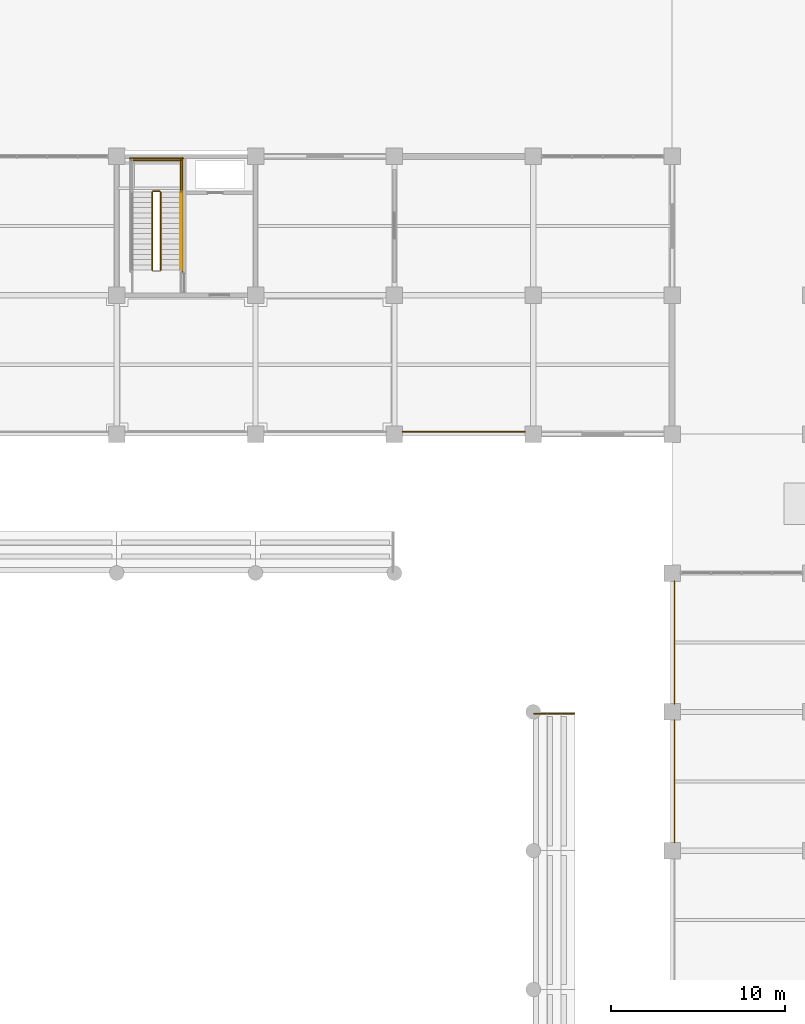
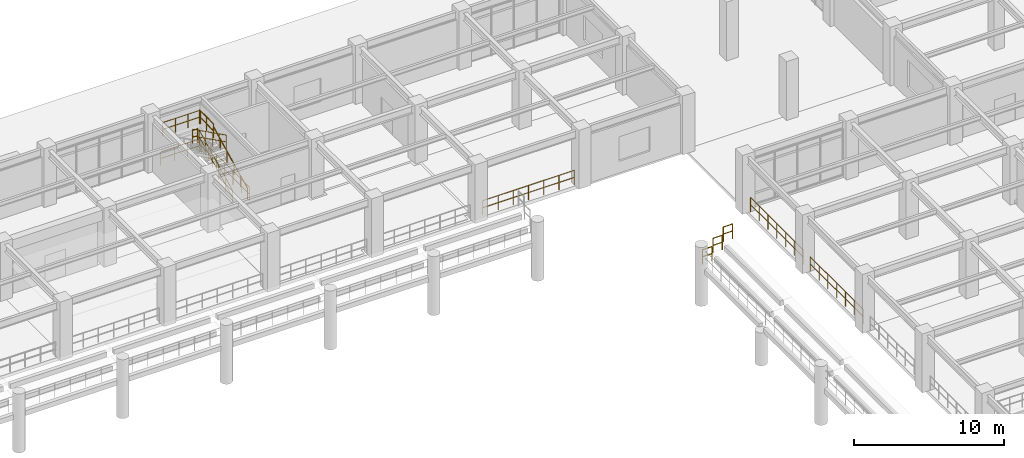
# One storey, part 108 of 109: 14 railings.
"""IFC4 building model written with IfcOpenShell, lengths in metres."""

from ifc_helpers import new_model, si_unit, direction, frame, origin, origin_2d, place, context, subcontext, project, spatial, circle, extrude, material, type_object, element, save


model = new_model("IFC4")

# Units and contexts
model_context = context("Model", 3, precision=1e-05, world=origin(), true_north=direction((0.0, 1.0)))
body_context = subcontext(model_context, "Body", "Model", "MODEL_VIEW")
ifc_project = project(units=[si_unit("LENGTHUNIT", "METRE"), si_unit("AREAUNIT", "SQUARE_METRE"), si_unit("VOLUMEUNIT", "CUBIC_METRE"), si_unit("PLANEANGLEUNIT", "RADIAN"), si_unit("MASSUNIT", "GRAM", prefix="KILO")], contexts=[model_context])

# Site, building, storey
site_placement = place(None, origin())
site = spatial("IfcSite", under=ifc_project, at=site_placement, CompositionType="ELEMENT")
building_placement = place(site_placement, origin())
building = spatial("IfcBuilding", under=site, at=building_placement, Name="Haebicheon Civic Stadium", CompositionType="ELEMENT")
storey_placement = place(building_placement, frame((0.0, 0.0, 9.60009765625)))
storey = spatial("IfcBuildingStorey", under=building, at=storey_placement, Name="L03", CompositionType="ELEMENT", Elevation=9.60009765625)

# Railings
ifc_material_1 = material(Name="Stainless steel 316 and laminated glass", Category="steel")
railing_type_1 = type_object("IfcRailingType", Name="RL-BAL-1200", PredefinedType="BALUSTRADE", material=ifc_material_1)
railing_1_placement = place(storey_placement, frame((128.47509765625, 152.139892578125, 0.0)))
element("IfcRailing", 1, at=railing_1_placement, inside=storey, type_object=railing_type_1, material=ifc_material_1, Name="L03 concourse bowl-edge balustrade 070", PredefinedType="BALUSTRADE", context=body_context, shape_type="SweptSolid", body=[
    extrude(circle(Radius=0.02392578125, at=origin_2d()), frame((0.0, 0.0, 1.17578125), z_axis=(1.0, 0.0, 0.0), x_axis=(0.0, 1.0, 0.0)), (0.0, 0.0, 1.0), 7.0498046875),
    extrude(circle(Radius=0.02392578125, at=origin_2d()), frame((0.0, 0.0, 0.60009765625), z_axis=(1.0, 0.0, 0.0), x_axis=(0.0, 1.0, 0.0)), (0.0, 0.0, 1.0), 7.0498046875),
    extrude(circle(Radius=0.02099609375, at=origin_2d()), origin(), (0.0, 0.0, 1.0), 1.15185546875),
    extrude(circle(Radius=0.02099609375, at=origin_2d()), frame((1.175048828125, 0.0, 0.0)), (0.0, 0.0, 1.0), 1.15185546875),
    extrude(circle(Radius=0.02099609375, at=origin_2d()), frame((2.349853515625, 0.0, 0.0)), (0.0, 0.0, 1.0), 1.15185546875),
    extrude(circle(Radius=0.02099609375, at=origin_2d()), frame((3.52490234375, 0.0, 0.0)), (0.0, 0.0, 1.0), 1.15185546875),
    extrude(circle(Radius=0.02099609375, at=origin_2d()), frame((4.699951171875, 0.0, 0.0)), (0.0, 0.0, 1.0), 1.15185546875),
    extrude(circle(Radius=0.02099609375, at=origin_2d()), frame((5.874755859375, 0.0, 0.0)), (0.0, 0.0, 1.0), 1.15185546875),
    extrude(circle(Radius=0.02099609375, at=origin_2d()), frame((7.0498046875, 0.0, 0.0)), (0.0, 0.0, 1.0), 1.15185546875),
])
for number, where, name in (
    (2, (144.139892578125, 128.47509765625, 0.0), "L03 concourse bowl-edge balustrade 080"),
    (3, (144.139892578125, 136.47509765625, 0.0), "L03 concourse bowl-edge balustrade 081"),
):
    element("IfcRailing", number, at=place(storey_placement, frame(where)), inside=storey, type_object=railing_type_1, material=ifc_material_1, Name=name, PredefinedType="BALUSTRADE", context=body_context, shape_type="SweptSolid", body=[
        extrude(circle(Radius=0.02392578125, at=origin_2d()), frame((0.0, 0.0, 1.17578125), z_axis=(0.0, 1.0, 0.0), x_axis=(-1.0, 0.0, 0.0)), (0.0, 0.0, 1.0), 7.0498046875),
        extrude(circle(Radius=0.02392578125, at=origin_2d()), frame((0.0, 0.0, 0.60009765625), z_axis=(0.0, 1.0, 0.0), x_axis=(-1.0, 0.0, 0.0)), (0.0, 0.0, 1.0), 7.0498046875),
        extrude(circle(Radius=0.02099609375, at=origin_2d()), origin(), (0.0, 0.0, 1.0), 1.15185546875),
        extrude(circle(Radius=0.02099609375, at=origin_2d()), frame((0.0, 1.175048828125, 0.0)), (0.0, 0.0, 1.0), 1.15185546875),
        extrude(circle(Radius=0.02099609375, at=origin_2d()), frame((0.0, 2.349853515625, 0.0)), (0.0, 0.0, 1.0), 1.15185546875),
        extrude(circle(Radius=0.02099609375, at=origin_2d()), frame((0.0, 3.52490234375, 0.0)), (0.0, 0.0, 1.0), 1.15185546875),
        extrude(circle(Radius=0.02099609375, at=origin_2d()), frame((0.0, 4.699951171875, 0.0)), (0.0, 0.0, 1.0), 1.15185546875),
        extrude(circle(Radius=0.02099609375, at=origin_2d()), frame((0.0, 5.874755859375, 0.0)), (0.0, 0.0, 1.0), 1.15185546875),
        extrude(circle(Radius=0.02099609375, at=origin_2d()), frame((0.0, 7.0498046875, 0.0)), (0.0, 0.0, 1.0), 1.15185546875),
    ])
for number, where, name in (
    (4, (136.0400390625, 135.89990234375, 3.199951171875), "TIER-E-U end-aisle side guard N.1"),
    (5, (136.840087890625, 135.89990234375, 3.843994140625), "TIER-E-U end-aisle side guard N.2"),
):
    element("IfcRailing", number, at=place(storey_placement, frame(where)), inside=storey, type_object=railing_type_1, material=ifc_material_1, Name=name, PredefinedType="BALUSTRADE", context=body_context, shape_type="SweptSolid", body=[
        extrude(circle(Radius=0.02392578125, at=origin_2d()), frame((0.0, 0.0, 1.17578125), z_axis=(1.0, 0.0, 0.0), x_axis=(0.0, 1.0, 0.0)), (0.0, 0.0, 1.0), 0.719970703125),
        extrude(circle(Radius=0.02392578125, at=origin_2d()), frame((0.0, 0.0, 0.60009765625), z_axis=(1.0, 0.0, 0.0), x_axis=(0.0, 1.0, 0.0)), (0.0, 0.0, 1.0), 0.719970703125),
        extrude(circle(Radius=0.02099609375, at=origin_2d()), origin(), (0.0, 0.0, 1.0), 1.15185546875),
        extrude(circle(Radius=0.02099609375, at=origin_2d()), frame((0.719970703125, 0.0, 0.0)), (0.0, 0.0, 1.0), 1.15185546875),
    ])
railing_2_placement = place(storey_placement, frame((137.639892578125, 135.89990234375, 4.489013671875)))
element("IfcRailing", 6, at=railing_2_placement, inside=storey, type_object=railing_type_1, material=ifc_material_1, Name="TIER-E-U end-aisle side guard N.3", PredefinedType="BALUSTRADE", context=body_context, shape_type="SweptSolid", body=[
    extrude(circle(Radius=0.02392578125, at=origin_2d()), frame((0.0, 0.0, 1.17578125), z_axis=(1.0, 0.0, 0.0), x_axis=(0.0, 1.0, 0.0)), (0.0, 0.0, 1.0), 0.72021484375),
    extrude(circle(Radius=0.02392578125, at=origin_2d()), frame((0.0, 0.0, 0.60009765625), z_axis=(1.0, 0.0, 0.0), x_axis=(0.0, 1.0, 0.0)), (0.0, 0.0, 1.0), 0.72021484375),
    extrude(circle(Radius=0.02099609375, at=origin_2d()), origin(), (0.0, 0.0, 1.0), 1.15185546875),
    extrude(circle(Radius=0.02099609375, at=origin_2d()), frame((0.72021484375, 0.0, 0.0)), (0.0, 0.0, 1.0), 1.15185546875),
])
ifc_material_2 = material(Name="Galvanised painted steel SM355", Category="steel")
railing_type_2 = type_object("IfcRailingType", Name="RL-GRD-1150", PredefinedType="GUARDRAIL", material=ifc_material_2)
railing_3_placement = place(storey_placement, frame((114.530029296875, 161.449951171875, 0.14990234375)))
element("IfcRailing", 7, at=railing_3_placement, inside=storey, type_object=railing_type_2, material=ifc_material_2, Name="L03 ST-09 stair guard 1", PredefinedType="GUARDRAIL", context=body_context, shape_type="SweptSolid", body=[
    extrude(circle(Radius=0.02392578125, at=origin_2d()), frame((0.0, 0.0, 1.1259765625), z_axis=(0.0, 0.894427191, 0.4472135955), x_axis=(-1.0, 0.0, 0.0)), (0.0, 0.0, 1.0), 5.03125),
    extrude(circle(Radius=0.02392578125, at=origin_2d()), frame((0.0, 0.0, 0.574951171875), z_axis=(0.0, 0.894427191, 0.4472135955), x_axis=(-1.0, 0.0, 0.0)), (0.0, 0.0, 1.0), 5.03125),
    extrude(circle(Radius=0.02099609375, at=origin_2d()), origin(), (0.0, 0.0, 1.0), 1.101806640625),
    extrude(circle(Radius=0.02099609375, at=origin_2d()), frame((0.0, 0.89990234375, 0.449951171875)), (0.0, 0.0, 1.0), 1.101806640625),
    extrude(circle(Radius=0.02099609375, at=origin_2d()), frame((0.0, 1.800048828125, 0.89990234375)), (0.0, 0.0, 1.0), 1.101806640625),
    extrude(circle(Radius=0.02099609375, at=origin_2d()), frame((0.0, 2.699951171875, 1.35009765625)), (0.0, 0.0, 1.0), 1.101806640625),
    extrude(circle(Radius=0.02099609375, at=origin_2d()), frame((0.0, 3.60009765625, 1.800048828125)), (0.0, 0.0, 1.0), 1.101806640625),
    extrude(circle(Radius=0.02099609375, at=origin_2d()), frame((0.0, 4.5, 2.25)), (0.0, 0.0, 1.0), 1.101806640625),
])
railing_4_placement = place(storey_placement, frame((114.47998046875, 166.0, 2.39990234375)))
element("IfcRailing", 8, at=railing_4_placement, inside=storey, type_object=railing_type_2, material=ifc_material_2, Name="L03 ST-09 stair guard 2", PredefinedType="GUARDRAIL", context=body_context, shape_type="SweptSolid", body=[
    extrude(circle(Radius=0.02392578125, at=origin_2d()), frame((0.0, 0.0, 1.1259765625), z_axis=(-1.0, 0.0, 0.0), x_axis=(0.0, -1.0, 0.0)), (0.0, 0.0, 1.0), 0.3798828125),
    extrude(circle(Radius=0.02392578125, at=origin_2d()), frame((0.0, 0.0, 0.574951171875), z_axis=(-1.0, 0.0, 0.0), x_axis=(0.0, -1.0, 0.0)), (0.0, 0.0, 1.0), 0.3798828125),
    extrude(circle(Radius=0.02099609375, at=origin_2d()), origin(), (0.0, 0.0, 1.0), 1.101806640625),
    extrude(circle(Radius=0.02099609375, at=origin_2d()), frame((-0.3798828125, 0.0, 0.0)), (0.0, 0.0, 1.0), 1.101806640625),
])
railing_5_placement = place(storey_placement, frame((115.68994140625, 165.949951171875, 2.39990234375)))
element("IfcRailing", 9, at=railing_5_placement, inside=storey, type_object=railing_type_2, material=ifc_material_2, Name="L03 ST-09 stair guard 3", PredefinedType="GUARDRAIL", context=body_context, shape_type="SweptSolid", body=[
    extrude(circle(Radius=0.02392578125, at=origin_2d()), frame((0.0, 0.0, 1.1259765625), z_axis=(0.0, 1.0, 0.0), x_axis=(-1.0, 0.0, 0.0)), (0.0, 0.0, 1.0), 1.89013671875),
    extrude(circle(Radius=0.02392578125, at=origin_2d()), frame((0.0, 0.0, 0.574951171875), z_axis=(0.0, 1.0, 0.0), x_axis=(-1.0, 0.0, 0.0)), (0.0, 0.0, 1.0), 1.89013671875),
    extrude(circle(Radius=0.02099609375, at=origin_2d()), origin(), (0.0, 0.0, 1.0), 1.101806640625),
    extrude(circle(Radius=0.02099609375, at=origin_2d()), frame((0.0, 0.945068359375, 0.0)), (0.0, 0.0, 1.0), 1.101806640625),
    extrude(circle(Radius=0.02099609375, at=origin_2d()), frame((0.0, 1.89013671875, 0.0)), (0.0, 0.0, 1.0), 1.101806640625),
])
railing_6_placement = place(storey_placement, frame((115.739990234375, 167.7900390625, 2.39990234375)))
element("IfcRailing", 10, at=railing_6_placement, inside=storey, type_object=railing_type_2, material=ifc_material_2, Name="L03 ST-09 stair guard 5", PredefinedType="GUARDRAIL", context=body_context, shape_type="SweptSolid", body=[
    extrude(circle(Radius=0.02392578125, at=origin_2d()), frame((0.0, 0.0, 1.1259765625), z_axis=(-1.0, 0.0, 0.0), x_axis=(0.0, -1.0, 0.0)), (0.0, 0.0, 1.0), 2.89990234375),
    extrude(circle(Radius=0.02392578125, at=origin_2d()), frame((0.0, 0.0, 0.574951171875), z_axis=(-1.0, 0.0, 0.0), x_axis=(0.0, -1.0, 0.0)), (0.0, 0.0, 1.0), 2.89990234375),
    extrude(circle(Radius=0.02099609375, at=origin_2d()), origin(), (0.0, 0.0, 1.0), 1.101806640625),
    extrude(circle(Radius=0.02099609375, at=origin_2d()), frame((-0.966552734375, 0.0, 0.0)), (0.0, 0.0, 1.0), 1.101806640625),
    extrude(circle(Radius=0.02099609375, at=origin_2d()), frame((-1.933349609375, 0.0, 0.0)), (0.0, 0.0, 1.0), 1.101806640625),
    extrude(circle(Radius=0.02099609375, at=origin_2d()), frame((-2.89990234375, 0.0, 0.0)), (0.0, 0.0, 1.0), 1.101806640625),
])
railing_7_placement = place(storey_placement, frame((114.050048828125, 165.949951171875, 2.5498046875)))
element("IfcRailing", 11, at=railing_7_placement, inside=storey, type_object=railing_type_2, material=ifc_material_2, Name="L03 ST-09 stair guard 6", PredefinedType="GUARDRAIL", context=body_context, shape_type="SweptSolid", body=[
    extrude(circle(Radius=0.02392578125, at=origin_2d()), frame((0.0, 0.0, 1.1259765625), z_axis=(0.0, -0.894427191, 0.4472135955), x_axis=(1.0, 0.0, 0.0)), (0.0, 0.0, 1.0), 5.03125),
    extrude(circle(Radius=0.02392578125, at=origin_2d()), frame((0.0, 0.0, 0.574951171875), z_axis=(0.0, -0.894427191, 0.4472135955), x_axis=(1.0, 0.0, 0.0)), (0.0, 0.0, 1.0), 5.03125),
    extrude(circle(Radius=0.02099609375, at=origin_2d()), origin(), (0.0, 0.0, 1.0), 1.101806640625),
    extrude(circle(Radius=0.02099609375, at=origin_2d()), frame((0.0, -0.89990234375, 0.449951171875)), (0.0, 0.0, 1.0), 1.101806640625),
    extrude(circle(Radius=0.02099609375, at=origin_2d()), frame((0.0, -1.800048828125, 0.89990234375)), (0.0, 0.0, 1.0), 1.101806640625),
    extrude(circle(Radius=0.02099609375, at=origin_2d()), frame((0.0, -2.699951171875, 1.35009765625)), (0.0, 0.0, 1.0), 1.101806640625),
    extrude(circle(Radius=0.02099609375, at=origin_2d()), frame((0.0, -3.60009765625, 1.800048828125)), (0.0, 0.0, 1.0), 1.101806640625),
    extrude(circle(Radius=0.02099609375, at=origin_2d()), frame((0.0, -4.5, 2.25)), (0.0, 0.0, 1.0), 1.101806640625),
])
railing_8_placement = place(storey_placement, frame((115.7900390625, 161.35009765625, 0.0)))
element("IfcRailing", 12, at=railing_8_placement, inside=storey, type_object=railing_type_2, material=ifc_material_2, Name="L03 ST-09 stair guard 10", PredefinedType="GUARDRAIL", context=body_context, shape_type="SweptSolid", body=[
    extrude(circle(Radius=0.02392578125, at=origin_2d()), frame((0.0, 0.0, 1.1259765625), z_axis=(0.0, 1.0, 0.0), x_axis=(-1.0, 0.0, 0.0)), (0.0, 0.0, 1.0), 6.58984375),
    extrude(circle(Radius=0.02392578125, at=origin_2d()), frame((0.0, 0.0, 0.574951171875), z_axis=(0.0, 1.0, 0.0), x_axis=(-1.0, 0.0, 0.0)), (0.0, 0.0, 1.0), 6.58984375),
    extrude(circle(Radius=0.02099609375, at=origin_2d()), origin(), (0.0, 0.0, 1.0), 1.101806640625),
    extrude(circle(Radius=0.02099609375, at=origin_2d()), frame((0.0, 1.098388671875, 0.0)), (0.0, 0.0, 1.0), 1.101806640625),
    extrude(circle(Radius=0.02099609375, at=origin_2d()), frame((0.0, 2.196533203125, 0.0)), (0.0, 0.0, 1.0), 1.101806640625),
    extrude(circle(Radius=0.02099609375, at=origin_2d()), frame((0.0, 3.294921875, 0.0)), (0.0, 0.0, 1.0), 1.101806640625),
    extrude(circle(Radius=0.02099609375, at=origin_2d()), frame((0.0, 4.393310546875, 0.0)), (0.0, 0.0, 1.0), 1.101806640625),
    extrude(circle(Radius=0.02099609375, at=origin_2d()), frame((0.0, 5.491455078125, 0.0)), (0.0, 0.0, 1.0), 1.101806640625),
    extrude(circle(Radius=0.02099609375, at=origin_2d()), frame((0.0, 6.58984375, 0.0)), (0.0, 0.0, 1.0), 1.101806640625),
])
railing_9_placement = place(storey_placement, frame((115.840087890625, 167.889892578125, 0.0)))
element("IfcRailing", 13, at=railing_9_placement, inside=storey, type_object=railing_type_2, material=ifc_material_2, Name="L03 ST-09 stair guard 12", PredefinedType="GUARDRAIL", context=body_context, shape_type="SweptSolid", body=[
    extrude(circle(Radius=0.02392578125, at=origin_2d()), frame((0.0, 0.0, 1.1259765625), z_axis=(-1.0, 0.0, 0.0), x_axis=(0.0, -1.0, 0.0)), (0.0, 0.0, 1.0), 3.10009765625),
    extrude(circle(Radius=0.02392578125, at=origin_2d()), frame((0.0, 0.0, 0.574951171875), z_axis=(-1.0, 0.0, 0.0), x_axis=(0.0, -1.0, 0.0)), (0.0, 0.0, 1.0), 3.10009765625),
    extrude(circle(Radius=0.02099609375, at=origin_2d()), origin(), (0.0, 0.0, 1.0), 1.101806640625),
    extrude(circle(Radius=0.02099609375, at=origin_2d()), frame((-1.033447265625, 0.0, 0.0)), (0.0, 0.0, 1.0), 1.101806640625),
    extrude(circle(Radius=0.02099609375, at=origin_2d()), frame((-2.066650390625, 0.0, 0.0)), (0.0, 0.0, 1.0), 1.101806640625),
    extrude(circle(Radius=0.02099609375, at=origin_2d()), frame((-3.10009765625, 0.0, 0.0)), (0.0, 0.0, 1.0), 1.101806640625),
])
ifc_material_3 = material(Name="Stainless steel 316", Category="steel")
railing_type_3 = type_object("IfcRailingType", Name="RL-HND-900", PredefinedType="HANDRAIL", material=ifc_material_3)
railing_10_placement = place(storey_placement, frame((115.68994140625, 161.449951171875, 0.14990234375)))
element("IfcRailing", 14, at=railing_10_placement, inside=storey, type_object=railing_type_3, material=ifc_material_3, Name="L03 ST-09 stair handrail 1", PredefinedType="HANDRAIL", context=body_context, shape_type="SweptSolid", body=[
    extrude(circle(Radius=0.02392578125, at=origin_2d()), frame((0.0, 0.0, 0.8759765625), z_axis=(0.0, 0.894427191, 0.4472135955), x_axis=(-1.0, 0.0, 0.0)), (0.0, 0.0, 1.0), 5.03125),
    extrude(circle(Radius=0.02099609375, at=origin_2d()), origin(), (0.0, 0.0, 1.0), 0.851806640625),
    extrude(circle(Radius=0.02099609375, at=origin_2d()), frame((0.0, 0.89990234375, 0.449951171875)), (0.0, 0.0, 1.0), 0.851806640625),
    extrude(circle(Radius=0.02099609375, at=origin_2d()), frame((0.0, 1.800048828125, 0.89990234375)), (0.0, 0.0, 1.0), 0.851806640625),
    extrude(circle(Radius=0.02099609375, at=origin_2d()), frame((0.0, 2.699951171875, 1.35009765625)), (0.0, 0.0, 1.0), 0.851806640625),
    extrude(circle(Radius=0.02099609375, at=origin_2d()), frame((0.0, 3.60009765625, 1.800048828125)), (0.0, 0.0, 1.0), 0.851806640625),
    extrude(circle(Radius=0.02099609375, at=origin_2d()), frame((0.0, 4.5, 2.25)), (0.0, 0.0, 1.0), 0.851806640625),
])

save(model, "model.ifc")
